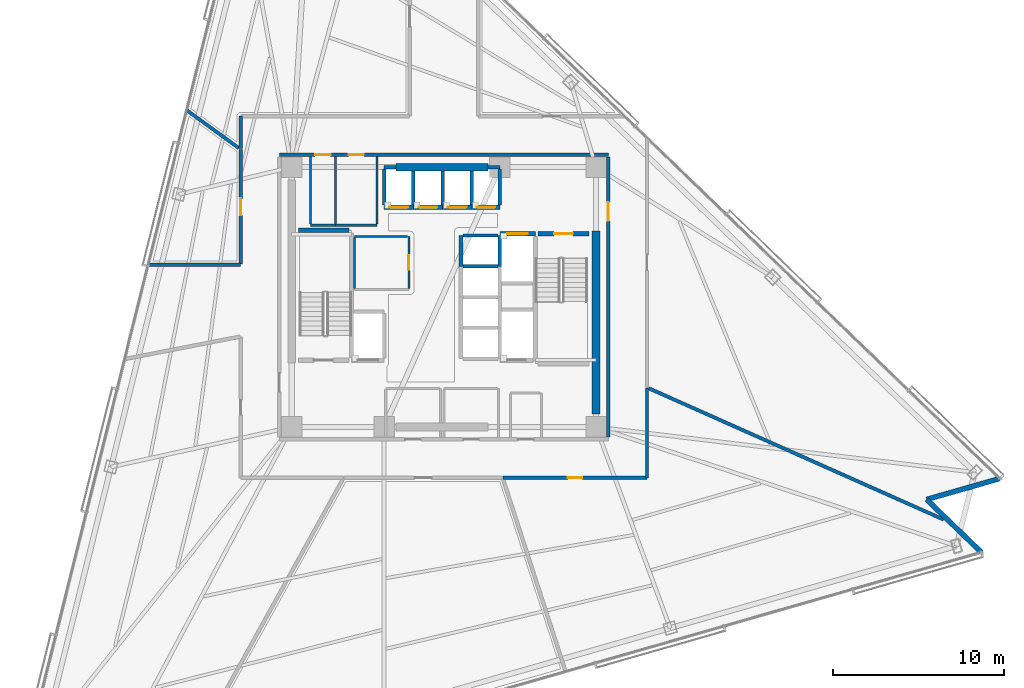
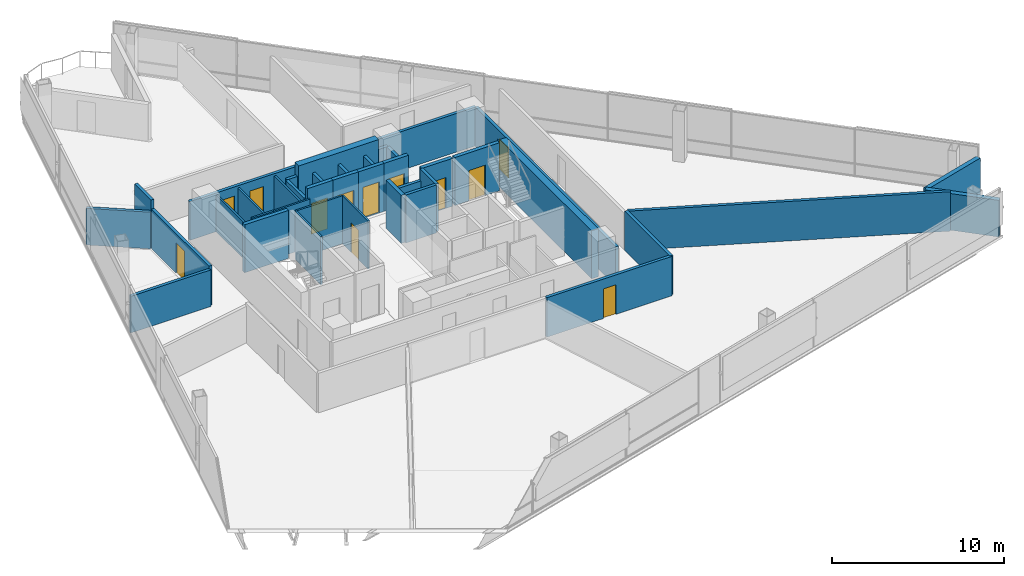
# One storey, part 10 of 17: 39 walls, 12 doors, 12 openings.
"""IFC4 building model written with IfcOpenShell, lengths in metres."""

from ifc_helpers import new_model, si_unit, direction, frame, frame_2d, origin, place, context, subcontext, project, spatial, rectangle, extrude, material, layer, layer_set, type_object, element, fill, save


model = new_model("IFC4")

# Units and contexts
model_context = context("Model", 3, precision=1e-05, world=origin(), true_north=direction((0.0, 1.0)))
body_context = subcontext(model_context, "Body", "Model", "MODEL_VIEW")
ifc_project = project(units=[si_unit("LENGTHUNIT", "METRE"), si_unit("AREAUNIT", "SQUARE_METRE"), si_unit("VOLUMEUNIT", "CUBIC_METRE"), si_unit("PLANEANGLEUNIT", "RADIAN"), si_unit("MASSUNIT", "GRAM", prefix="KILO")], contexts=[model_context])

# Site, building, storey
site_placement = place(None, origin())
site = spatial("IfcSite", under=ifc_project, at=site_placement, CompositionType="ELEMENT")
building_placement = place(site_placement, origin())
building = spatial("IfcBuilding", under=site, at=building_placement, Name="Tharavind Bronze Gate", CompositionType="ELEMENT")
storey_placement = place(building_placement, frame((0.0, 0.0, 96.89990234375)))
storey = spatial("IfcBuildingStorey", under=building, at=storey_placement, Name="L24", CompositionType="ELEMENT", Elevation=96.89990234375)

# Walls
ifc_material_1 = material(Name="Concrete C40/50", Category="concrete")
ifc_layer_1 = layer(ifc_material_1, 0.300048828125)
ifc_layer_set_1 = layer_set([ifc_layer_1], Name="Concrete C40/50")
wall_type_1 = type_object("IfcWallType", Name="EXTERIOR SPANDREL WALL 300", PredefinedType="STANDARD", material=ifc_layer_set_1)
wall_1_placement = place(storey_placement, frame((31.438720703125, -14.926513671875, 0.0), z_axis=(0.0, 0.0, 1.0), x_axis=(-0.719317126864, 0.694681848763, 0.0)))
element("IfcWall", 1, at=wall_1_placement, inside=storey, type_object=wall_type_1, Name="L24 notch cheek wall 3A", PredefinedType="STANDARD", context=body_context, shape_type="SweptSolid", body=[
    extrude(rectangle(XDim=4.439697265625, YDim=0.300048828125, at=frame_2d((2.2197265625, 0.0))), origin(), (0.0, 0.0, 1.0), 2.60498046875),
])
wall_2_placement = place(storey_placement, frame((28.2451171875, -11.84228515625, 0.0), z_axis=(0.0, 0.0, 1.0), x_axis=(0.961255810825, 0.275657878821, 0.0)))
element("IfcWall", 2, at=wall_2_placement, inside=storey, type_object=wall_type_1, Name="L24 notch cheek wall 3B", PredefinedType="STANDARD", context=body_context, shape_type="SweptSolid", body=[
    extrude(rectangle(XDim=4.43994140625, YDim=0.300048828125, at=frame_2d((2.219970703125, 0.0))), origin(), (0.0, 0.0, 1.0), 2.60498046875),
])

# Wall, openings, doors
ifc_material_2 = material(Name="Aerated Concrete Block", Category="concrete")
ifc_layer_2 = layer(ifc_material_2, 0.199951171875)
ifc_layer_set_2 = layer_set([ifc_layer_2], Name="Aerated Concrete Block")
wall_type_2 = type_object("IfcWallType", Name="FIRE RATED PARTITION 200", PredefinedType="PARTITIONING", material=ifc_layer_set_2)
wall_3_placement = place(storey_placement, frame((9.6201171875, 8.320068359375, 0.0), z_axis=(0.0, 0.0, 1.0), x_axis=(-1.0, 0.0, 0.0)))
wall_3 = element("IfcWall", 3, at=wall_3_placement, inside=storey, type_object=wall_type_2, Name="L24 north core corridor wall", PredefinedType="PARTITIONING", context=body_context, shape_type="SweptSolid", body=[
    extrude(rectangle(XDim=19.240234375, YDim=0.199951171875, at=frame_2d((9.6201171875, 0.0))), origin(), (0.0, 0.0, 1.0), 2.755126953125),
])
opening_1_placement = place(wall_3_placement, frame((16.2451171875, 0.0, 0.0)))
opening_1 = element("IfcOpeningElement", 4, at=opening_1_placement, cuts=wall_3, Name="Opening ID07", PredefinedType="OPENING", context=body_context, shape_type="SweptSolid", body=[
    extrude(rectangle(XDim=0.89990234375, YDim=2.10009765625, at=frame_2d((0.449951171875, 1.050048828125))), frame((0.0, 0.11009765625, 0.0), z_axis=(0.0, -1.0, 0.0), x_axis=(1.0, 0.0, 0.0)), (0.0, 0.0, 1.0), 0.219951171875),
])
opening_2_placement = place(wall_3_placement, frame((14.294921875, 0.0, 0.0)))
opening_2 = element("IfcOpeningElement", 5, at=opening_2_placement, cuts=wall_3, Name="Opening ID07", PredefinedType="OPENING", context=body_context, shape_type="SweptSolid", body=[
    extrude(rectangle(XDim=0.89990234375, YDim=2.10009765625, at=frame_2d((0.449951171875, 1.050048828125))), frame((0.0, 0.11009765625, 0.0), z_axis=(0.0, -1.0, 0.0), x_axis=(1.0, 0.0, 0.0)), (0.0, 0.0, 1.0), 0.219951171875),
])
ifc_material_3 = material(Name="Galvanised Fire Steel", Category="steel")
door_type_1 = type_object("IfcDoorType", Name="PLANT AND RISER FIRE DOOR 900X2100", OperationType="SINGLE_SWING_LEFT", PredefinedType="DOOR", material=ifc_material_3)
door_1_placement = place(opening_1_placement, frame((0.89990234375, 0.0, 0.0), z_axis=(0.0, 0.0, 1.0), x_axis=(-1.0, 0.0, 0.0)))
door_1 = element("IfcDoor", 6, at=door_1_placement, inside=storey, type_object=door_type_1, Name="L24 Battery Backup Cupboard fire door", OperationType="SINGLE_SWING_LEFT", OverallHeight=2.10009765625, OverallWidth=0.89990234375, PredefinedType="DOOR", context=body_context, shape_type="SweptSolid", body=[
    extrude(rectangle(XDim=0.89990234375, YDim=2.10009765625, at=frame_2d((0.449951171875, 1.050048828125))), frame((0.0, 0.02490234375, 0.0), z_axis=(0.0, -1.0, 0.0), x_axis=(1.0, 0.0, 0.0)), (0.0, 0.0, 1.0), 0.050048828125),
])
fill(opening_1, door_1)
door_2_placement = place(opening_2_placement, frame((0.89990234375, 0.0, 0.0), z_axis=(0.0, 0.0, 1.0), x_axis=(-1.0, 0.0, 0.0)))
door_2 = element("IfcDoor", 7, at=door_2_placement, inside=storey, type_object=door_type_1, Name="L24 Cleaner Store Room fire door", OperationType="SINGLE_SWING_LEFT", OverallHeight=2.10009765625, OverallWidth=0.89990234375, PredefinedType="DOOR", context=body_context, shape_type="SweptSolid", body=[
    extrude(rectangle(XDim=0.89990234375, YDim=2.10009765625, at=frame_2d((0.449951171875, 1.050048828125))), frame((0.0, 0.02490234375, 0.0), z_axis=(0.0, -1.0, 0.0), x_axis=(1.0, 0.0, 0.0)), (0.0, 0.0, 1.0), 0.050048828125),
])
fill(opening_2, door_2)

# Wall, opening, door
wall_4_placement = place(storey_placement, frame((9.6201171875, -8.199951171875, 0.0), z_axis=(0.0, 0.0, 1.0), x_axis=(0.0, 1.0, 0.0)))
wall_4 = element("IfcWall", 8, at=wall_4_placement, inside=storey, type_object=wall_type_2, Name="L24 east core corridor wall", PredefinedType="PARTITIONING", context=body_context, shape_type="SweptSolid", body=[
    extrude(rectangle(XDim=16.39990234375, YDim=0.199951171875, at=frame_2d((8.199951171875, 0.0))), origin(), (0.0, 0.0, 1.0), 2.80517578125),
])
opening_3_placement = place(wall_4_placement, frame((12.64990234375, 0.0, 0.0)))
opening_3 = element("IfcOpeningElement", 9, at=opening_3_placement, cuts=wall_4, Name="Opening ID01", PredefinedType="OPENING", context=body_context, shape_type="SweptSolid", body=[
    extrude(rectangle(XDim=1.10009765625, YDim=2.14990234375, at=frame_2d((0.550048828125, 1.074951171875))), frame((0.0, 0.11009765625, 0.0), z_axis=(0.0, -1.0, 0.0), x_axis=(1.0, 0.0, 0.0)), (0.0, 0.0, 1.0), 0.219951171875),
])
ifc_material_4 = material(Name="Fire-Rated Steel", Category="steel")
door_type_2 = type_object("IfcDoorType", Name="STAIR CORE FIRE DOOR 1100X2150", OperationType="SINGLE_SWING_LEFT", PredefinedType="DOOR", material=ifc_material_4)
door_3_placement = place(opening_3_placement, frame((1.10009765625, 0.0, 0.0), z_axis=(0.0, 0.0, 1.0), x_axis=(-1.0, 0.0, 0.0)))
door_3 = element("IfcDoor", 10, at=door_3_placement, inside=storey, type_object=door_type_2, Name="L24 north east stair lobby fire door", OperationType="SINGLE_SWING_LEFT", OverallHeight=2.14990234375, OverallWidth=1.10009765625, PredefinedType="DOOR", context=body_context, shape_type="SweptSolid", body=[
    extrude(rectangle(XDim=1.10009765625, YDim=2.14990234375, at=frame_2d((0.550048828125, 1.074951171875))), frame((0.0, 0.02490234375, 0.0), z_axis=(0.0, -1.0, 0.0), x_axis=(1.0, 0.0, 0.0)), (0.0, 0.0, 1.0), 0.050048828125),
])
fill(opening_3, door_3)

# Walls
wall_5_placement = place(storey_placement, frame((11.8798828125, -10.579345703125, 0.0), z_axis=(0.0, 0.0, 1.0), x_axis=(0.0, 1.0, 0.0)))
element("IfcWall", 11, at=wall_5_placement, inside=storey, type_object=wall_type_2, Name="L24 Public Restrooms Block partition", PredefinedType="PARTITIONING", context=body_context, shape_type="SweptSolid", body=[
    extrude(rectangle(XDim=5.25146484375, YDim=0.199951171875, at=frame_2d((2.625732421875, 0.0))), origin(), (0.0, 0.0, 1.0), 2.80517578125),
])
wall_6_placement = place(storey_placement, frame((11.985107421875, -5.336181640625, 0.0), z_axis=(0.0, 0.0, 1.0), x_axis=(0.913548038419, -0.406730846507, 0.0)))
element("IfcWall", 12, at=wall_6_placement, inside=storey, type_object=wall_type_2, Name="L24 Public Restrooms Block partition", PredefinedType="PARTITIONING", context=body_context, shape_type="SweptSolid", body=[
    extrude(rectangle(XDim=18.887451171875, YDim=0.199951171875, at=frame_2d((9.44384765625, 0.0))), origin(), (0.0, 0.0, 1.0), 2.80517578125),
])

# Wall, opening, door
wall_7_placement = place(storey_placement, frame((3.47216796875, -10.580078125, 0.0), z_axis=(0.0, 0.0, 1.0), x_axis=(1.0, 0.0, 0.0)))
wall_7 = element("IfcWall", 13, at=wall_7_placement, inside=storey, type_object=wall_type_2, Name="L24 Public Restrooms Block partition", PredefinedType="PARTITIONING", context=body_context, shape_type="SweptSolid", body=[
    extrude(rectangle(XDim=8.4072265625, YDim=0.199951171875, at=frame_2d((4.20361328125, 0.0))), origin(), (0.0, 0.0, 1.0), 2.80517578125),
])
opening_4_placement = place(wall_7_placement, frame((3.779052734375, 0.0, 0.0)))
opening_4 = element("IfcOpeningElement", 14, at=opening_4_placement, cuts=wall_7, Name="Opening ID06", PredefinedType="OPENING", context=body_context, shape_type="SweptSolid", body=[
    extrude(rectangle(XDim=0.85009765625, YDim=2.10009765625, at=frame_2d((0.425048828125, 1.050048828125))), frame((0.0, 0.11009765625, 0.0), z_axis=(0.0, -1.0, 0.0), x_axis=(1.0, 0.0, 0.0)), (0.0, 0.0, 1.0), 0.219951171875),
])
ifc_material_5 = material(Name="Moisture-Resistant Timber", Category="wood")
door_type_3 = type_object("IfcDoorType", Name="BATHROOM PRIVACY DOOR 850X2100", OperationType="SINGLE_SWING_RIGHT", PredefinedType="DOOR", material=ifc_material_5)
door_4_placement = place(opening_4_placement, origin())
door_4 = element("IfcDoor", 15, at=door_4_placement, inside=storey, type_object=door_type_3, Name="L24 Public Restrooms Block door", OperationType="SINGLE_SWING_RIGHT", OverallHeight=2.10009765625, OverallWidth=0.85009765625, PredefinedType="DOOR", context=body_context, shape_type="SweptSolid", body=[
    extrude(rectangle(XDim=0.85009765625, YDim=2.10009765625, at=frame_2d((0.425048828125, 1.050048828125))), frame((0.0, 0.02490234375, 0.0), z_axis=(0.0, -1.0, 0.0), x_axis=(1.0, 0.0, 0.0)), (0.0, 0.0, 1.0), 0.050048828125),
])
fill(opening_4, door_4)

# Walls
wall_8_placement = place(storey_placement, frame((-11.8798828125, 10.579345703125, 0.0), z_axis=(0.0, 0.0, 1.0), x_axis=(0.0, -1.0, 0.0)))
element("IfcWall", 16, at=wall_8_placement, inside=storey, type_object=wall_type_2, Name="L24 Townhall Conference Room partition", PredefinedType="PARTITIONING", context=body_context, shape_type="SweptSolid", body=[
    extrude(rectangle(XDim=1.89892578125, YDim=0.199951171875, at=frame_2d((0.949462890625, 0.0))), origin(), (0.0, 0.0, 1.0), 3.41015625),
])
wall_9_placement = place(storey_placement, frame((-11.985107421875, 8.70751953125, 0.0), z_axis=(0.0, 0.0, 1.0), x_axis=(-0.808974587113, 0.587843616454, 0.0)))
element("IfcWall", 17, at=wall_9_placement, inside=storey, type_object=wall_type_2, Name="L24 Townhall Conference Room partition", PredefinedType="PARTITIONING", context=body_context, shape_type="SweptSolid", body=[
    extrude(rectangle(XDim=3.761474609375, YDim=0.199951171875, at=frame_2d((1.880859375, 0.0))), origin(), (0.0, 0.0, 1.0), 2.60498046875),
])

# Wall, opening, door
wall_10_placement = place(storey_placement, frame((-11.8798828125, 8.61865234375, 0.0), z_axis=(0.0, 0.0, 1.0), x_axis=(0.0, -1.0, 0.0)))
wall_10 = element("IfcWall", 18, at=wall_10_placement, inside=storey, type_object=wall_type_2, Name="L24 Quantitative Research Office partition", PredefinedType="PARTITIONING", context=body_context, shape_type="SweptSolid", body=[
    extrude(rectangle(XDim=6.693603515625, YDim=0.199951171875, at=frame_2d((3.3466796875, 0.0))), origin(), (0.0, 0.0, 1.0), 2.80517578125),
])
opening_5_placement = place(wall_10_placement, frame((2.846923828125, 0.0, 0.0)))
opening_5 = element("IfcOpeningElement", 19, at=opening_5_placement, cuts=wall_10, Name="Opening ID04", PredefinedType="OPENING", context=body_context, shape_type="SweptSolid", body=[
    extrude(rectangle(XDim=1.0, YDim=2.14990234375, at=frame_2d((0.5, 1.074951171875))), frame((0.0, 0.11009765625, 0.0), z_axis=(0.0, -1.0, 0.0), x_axis=(1.0, 0.0, 0.0)), (0.0, 0.0, 1.0), 0.219951171875),
])
ifc_material_6 = material(Name="Bronze Framed Acoustic Timber", Category="wood")
door_type_4 = type_object("IfcDoorType", Name="OFFICE TENANCY DOOR 1000X2150", OperationType="SINGLE_SWING_RIGHT", PredefinedType="DOOR", material=ifc_material_6)
door_5_placement = place(opening_5_placement, origin())
door_5 = element("IfcDoor", 20, at=door_5_placement, inside=storey, type_object=door_type_4, Name="L24 Quantitative Research Office door", OperationType="SINGLE_SWING_RIGHT", OverallHeight=2.14990234375, OverallWidth=1.0, PredefinedType="DOOR", context=body_context, shape_type="SweptSolid", body=[
    extrude(rectangle(XDim=1.0, YDim=2.14990234375, at=frame_2d((0.5, 1.074951171875))), frame((0.0, 0.02490234375, 0.0), z_axis=(0.0, -1.0, 0.0), x_axis=(1.0, 0.0, 0.0)), (0.0, 0.0, 1.0), 0.050048828125),
])
fill(opening_5, door_5)

# Wall
wall_11_placement = place(storey_placement, frame((-11.905029296875, 1.89990234375, 0.0), z_axis=(0.0, 0.0, 1.0), x_axis=(-1.0, 0.0, 0.0)))
element("IfcWall", 21, at=wall_11_placement, inside=storey, type_object=wall_type_2, Name="L24 Quantitative Research Office partition", PredefinedType="PARTITIONING", context=body_context, shape_type="SweptSolid", body=[
    extrude(rectangle(XDim=5.3876953125, YDim=0.199951171875, at=frame_2d((2.69384765625, 0.0))), origin(), (0.0, 0.0, 1.0), 2.60498046875),
])

# Wall, opening, door
ifc_material_7 = material(Name="Metal Stud Gypsum Partition", Category="gypsum")
ifc_layer_3 = layer(ifc_material_7, 0.1201171875)
ifc_layer_set_3 = layer_set([ifc_layer_3], Name="Metal Stud Gypsum Partition")
wall_type_3 = type_object("IfcWallType", Name="INTERIOR PARTITION WALL 120", PredefinedType="PARTITIONING", material=ifc_layer_set_3)
wall_12_placement = place(storey_placement, frame((-2.050048828125, 0.514892578125, 0.0), z_axis=(0.0, 0.0, 1.0), x_axis=(0.0, 1.0, 0.0)))
wall_12 = element("IfcWall", 22, at=wall_12_placement, inside=storey, type_object=wall_type_3, Name="L24 Electrical & Telecom Store partition 2", PredefinedType="PARTITIONING", context=body_context, shape_type="SweptSolid", body=[
    extrude(rectangle(XDim=3.03515625, YDim=0.1201171875, at=frame_2d((1.517578125, 0.0))), origin(), (0.0, 0.0, 1.0), 3.41015625),
])
opening_6_placement = place(wall_12_placement, frame((1.092041015625, 0.0, 0.0)))
opening_6 = element("IfcOpeningElement", 23, at=opening_6_placement, cuts=wall_12, Name="Opening ID06", PredefinedType="OPENING", context=body_context, shape_type="SweptSolid", body=[
    extrude(rectangle(XDim=0.85009765625, YDim=2.10009765625, at=frame_2d((0.425048828125, 1.050048828125))), frame((0.0, 0.07005859375, 0.0), z_axis=(0.0, -1.0, 0.0), x_axis=(1.0, 0.0, 0.0)), (0.0, 0.0, 1.0), 0.1401171875),
])
door_6_placement = place(opening_6_placement, frame((0.85009765625, 0.0, 0.0), z_axis=(0.0, 0.0, 1.0), x_axis=(-1.0, 0.0, 0.0)))
door_6 = element("IfcDoor", 24, at=door_6_placement, inside=storey, type_object=door_type_3, Name="L24 Electrical & Telecom Store door", OperationType="SINGLE_SWING_RIGHT", OverallHeight=2.10009765625, OverallWidth=0.85009765625, PredefinedType="DOOR", context=body_context, shape_type="SweptSolid", body=[
    extrude(rectangle(XDim=0.85009765625, YDim=2.10009765625, at=frame_2d((0.425048828125, 1.050048828125))), frame((0.0, 0.02490234375, 0.0), z_axis=(0.0, -1.0, 0.0), x_axis=(1.0, 0.0, 0.0)), (0.0, 0.0, 1.0), 0.050048828125),
])
fill(opening_6, door_6)

# Walls
wall_13_placement = place(storey_placement, frame((-2.114990234375, 3.550048828125, 0.0), z_axis=(0.0, 0.0, 1.0), x_axis=(-1.0, 0.0, 0.0)))
element("IfcWall", 25, at=wall_13_placement, inside=storey, type_object=wall_type_3, Name="L24 Electrical & Telecom Store partition 3", PredefinedType="PARTITIONING", context=body_context, shape_type="SweptSolid", body=[
    extrude(rectangle(XDim=3.10498046875, YDim=0.1201171875, at=frame_2d((1.552490234375, 0.0))), origin(), (0.0, 0.0, 1.0), 3.41015625),
])
wall_14_placement = place(storey_placement, frame((-5.219970703125, 3.485107421875, 0.0), z_axis=(0.0, 0.0, 1.0), x_axis=(0.0, -1.0, 0.0)))
element("IfcWall", 26, at=wall_14_placement, inside=storey, type_object=wall_type_3, Name="L24 Electrical & Telecom Store partition 4", PredefinedType="PARTITIONING", context=body_context, shape_type="SweptSolid", body=[
    extrude(rectangle(XDim=2.97021484375, YDim=0.1201171875, at=frame_2d((1.485107421875, 0.0))), origin(), (0.0, 0.0, 1.0), 3.41015625),
])
wall_15_placement = place(storey_placement, frame((-7.800048828125, 4.199951171875, 0.0), z_axis=(0.0, 0.0, 1.0), x_axis=(1.0, 0.0, 0.0)))
element("IfcWall", 27, at=wall_15_placement, inside=storey, type_object=wall_type_3, Name="L24 Battery Backup Cupboard partition 1", PredefinedType="PARTITIONING", context=body_context, shape_type="SweptSolid", body=[
    extrude(rectangle(XDim=1.449951171875, YDim=0.1201171875, at=frame_2d((0.72509765625, 0.0))), origin(), (0.0, 0.0, 1.0), 3.41015625),
])
for number, where, z_axis, x_axis, name in (
    (28, (-6.35009765625, 4.264892578125, 0.0), (0.0, 0.0, 1.0), (0.0, 1.0, 0.0), "L24 Battery Backup Cupboard partition 2"),
    (29, (-7.800048828125, 8.215087890625, 0.0), (0.0, 0.0, 1.0), (0.0, -1.0, 0.0), "L24 Battery Backup Cupboard partition 4"),
):
    element("IfcWall", number, at=place(storey_placement, frame(where, z_axis=z_axis, x_axis=x_axis)), inside=storey, type_object=wall_type_3, Name=name, PredefinedType="PARTITIONING", context=body_context, shape_type="SweptSolid", body=[
        extrude(rectangle(XDim=3.9501953125, YDim=0.1201171875, at=frame_2d((1.97509765625, 0.0))), origin(), (0.0, 0.0, 1.0), 2.60498046875),
    ])
wall_16_placement = place(storey_placement, frame((-6.35009765625, 4.199951171875, 0.0), z_axis=(0.0, 0.0, 1.0), x_axis=(1.0, 0.0, 0.0)))
element("IfcWall", 30, at=wall_16_placement, inside=storey, type_object=wall_type_3, Name="L24 Cleaner Store Room partition 1", PredefinedType="PARTITIONING", context=body_context, shape_type="SweptSolid", body=[
    extrude(rectangle(XDim=2.4501953125, YDim=0.1201171875, at=frame_2d((1.22509765625, 0.0))), origin(), (0.0, 0.0, 1.0), 3.41015625),
])
wall_17_placement = place(storey_placement, frame((-3.89990234375, 4.264892578125, 0.0), z_axis=(0.0, 0.0, 1.0), x_axis=(0.0, 1.0, 0.0)))
element("IfcWall", 31, at=wall_17_placement, inside=storey, type_object=wall_type_3, Name="L24 Cleaner Store Room partition 2", PredefinedType="PARTITIONING", context=body_context, shape_type="SweptSolid", body=[
    extrude(rectangle(XDim=3.9501953125, YDim=0.1201171875, at=frame_2d((1.97509765625, 0.0))), origin(), (0.0, 0.0, 1.0), 2.60498046875),
])
ifc_material_8 = material(Name="Concrete C50/60", Category="concrete")
ifc_layer_4 = layer(ifc_material_8, 0.25)
ifc_layer_set_4 = layer_set([ifc_layer_4], Name="Concrete C50/60")
wall_type_4 = type_object("IfcWallType", Name="RC CORE SHEAR WALL 250", PredefinedType="SHEAR", material=ifc_layer_set_4)
wall_18_placement = place(storey_placement, frame((-8.5, 3.89990234375, 0.0), z_axis=(0.0, 0.0, 1.0), x_axis=(1.0, 0.0, 0.0)))
element("IfcWall", 32, at=wall_18_placement, inside=storey, type_object=wall_type_4, Name="L24 ST1 shaft north wall", PredefinedType="SHEAR", context=body_context, shape_type="SweptSolid", body=[
    extrude(rectangle(XDim=2.949951171875, YDim=0.25, at=frame_2d((1.47509765625, 0.0))), origin(), (0.0, 0.0, 1.0), 3.41015625),
])

# Wall, opening, door
wall_19_placement = place(storey_placement, frame((5.5, 3.699951171875, 0.0), z_axis=(0.0, 0.0, 1.0), x_axis=(1.0, 0.0, 0.0)))
wall_19 = element("IfcWall", 33, at=wall_19_placement, inside=storey, type_object=wall_type_4, Name="L24 ST2 shaft north wall", PredefinedType="SHEAR", context=body_context, shape_type="SweptSolid", body=[
    extrude(rectangle(XDim=3.0, YDim=0.25, at=frame_2d((1.5, 0.0))), origin(), (0.0, 0.0, 1.0), 3.41015625),
])
opening_7_placement = place(wall_19_placement, frame((0.949951171875, 0.0, 0.0)))
opening_7 = element("IfcOpeningElement", 34, at=opening_7_placement, cuts=wall_19, Name="Opening ID01", PredefinedType="OPENING", context=body_context, shape_type="SweptSolid", body=[
    extrude(rectangle(XDim=1.10009765625, YDim=2.14990234375, at=frame_2d((0.550048828125, 1.074951171875))), frame((0.0, 0.135, 0.0), z_axis=(0.0, -1.0, 0.0), x_axis=(1.0, 0.0, 0.0)), (0.0, 0.0, 1.0), 0.27),
])
door_7_placement = place(opening_7_placement, frame((1.10009765625, 0.0, 0.0), z_axis=(0.0, 0.0, 1.0), x_axis=(-1.0, 0.0, 0.0)))
door_7 = element("IfcDoor", 35, at=door_7_placement, inside=storey, type_object=door_type_2, Name="L24 exit stair ST2 fire door", OperationType="SINGLE_SWING_LEFT", OverallHeight=2.14990234375, OverallWidth=1.10009765625, PredefinedType="DOOR", context=body_context, shape_type="SweptSolid", body=[
    extrude(rectangle(XDim=1.10009765625, YDim=2.14990234375, at=frame_2d((0.550048828125, 1.074951171875))), frame((0.0, 0.02490234375, 0.0), z_axis=(0.0, -1.0, 0.0), x_axis=(1.0, 0.0, 0.0)), (0.0, 0.0, 1.0), 0.050048828125),
])
fill(opening_7, door_7)

wall_20_placement = place(storey_placement, frame((-3.5, 5.25, 0.0), z_axis=(0.0, 0.0, 1.0), x_axis=(1.0, 0.0, 0.0)))
wall_20 = element("IfcWall", 36, at=wall_20_placement, inside=storey, type_object=wall_type_4, Name="L24 lift PL5 shaft front wall", PredefinedType="SHEAR", context=body_context, shape_type="SweptSolid", body=[
    extrude(rectangle(XDim=1.71240234375, YDim=0.25, at=frame_2d((0.856201171875, 0.0))), origin(), (0.0, 0.0, 1.0), 3.41015625),
])
opening_8_placement = place(wall_20_placement, frame((0.305908203125, 0.0, 0.0)))
opening_8 = element("IfcOpeningElement", 37, at=opening_8_placement, cuts=wall_20, Name="Opening LD01", PredefinedType="OPENING", context=body_context, shape_type="SweptSolid", body=[
    extrude(rectangle(XDim=1.10009765625, YDim=2.199951171875, at=frame_2d((0.550048828125, 1.10009765625))), frame((0.0, 0.135, 0.0), z_axis=(0.0, -1.0, 0.0), x_axis=(1.0, 0.0, 0.0)), (0.0, 0.0, 1.0), 0.27),
])
ifc_material_9 = material(Name="Brushed Bronze Stainless Steel", Category="steel")
door_type_5 = type_object("IfcDoorType", Name="LIFT LANDING SLIDING DOOR 1100X2200", OperationType="SLIDING_TO_LEFT", PredefinedType="DOOR", material=ifc_material_9)
door_8_placement = place(opening_8_placement, origin())
door_8 = element("IfcDoor", 38, at=door_8_placement, inside=storey, type_object=door_type_5, Name="L24 lift PL5 sliding landing door", OperationType="SLIDING_TO_LEFT", OverallHeight=2.199951171875, OverallWidth=1.10009765625, PredefinedType="DOOR", context=body_context, shape_type="SweptSolid", body=[
    extrude(rectangle(XDim=1.10009765625, YDim=2.199951171875, at=frame_2d((0.550048828125, 1.10009765625))), frame((0.0, 0.02490234375, 0.0), z_axis=(0.0, -1.0, 0.0), x_axis=(1.0, 0.0, 0.0)), (0.0, 0.0, 1.0), 0.050048828125),
])
fill(opening_8, door_8)

wall_21_placement = place(storey_placement, frame((-1.78759765625, 5.25, 0.0), z_axis=(0.0, 0.0, 1.0), x_axis=(1.0, 0.0, 0.0)))
wall_21 = element("IfcWall", 39, at=wall_21_placement, inside=storey, type_object=wall_type_4, Name="L24 lift PL6 shaft front wall", PredefinedType="SHEAR", context=body_context, shape_type="SweptSolid", body=[
    extrude(rectangle(XDim=1.712646484375, YDim=0.25, at=frame_2d((0.8564453125, 0.0))), origin(), (0.0, 0.0, 1.0), 3.41015625),
])
opening_9_placement = place(wall_21_placement, frame((0.305908203125, 0.0, 0.0)))
opening_9 = element("IfcOpeningElement", 40, at=opening_9_placement, cuts=wall_21, Name="Opening LD01", PredefinedType="OPENING", context=body_context, shape_type="SweptSolid", body=[
    extrude(rectangle(XDim=1.10009765625, YDim=2.199951171875, at=frame_2d((0.550048828125, 1.10009765625))), frame((0.0, 0.135, 0.0), z_axis=(0.0, -1.0, 0.0), x_axis=(1.0, 0.0, 0.0)), (0.0, 0.0, 1.0), 0.27),
])
door_9_placement = place(opening_9_placement, origin())
door_9 = element("IfcDoor", 41, at=door_9_placement, inside=storey, type_object=door_type_5, Name="L24 lift PL6 sliding landing door", OperationType="SLIDING_TO_LEFT", OverallHeight=2.199951171875, OverallWidth=1.10009765625, PredefinedType="DOOR", context=body_context, shape_type="SweptSolid", body=[
    extrude(rectangle(XDim=1.10009765625, YDim=2.199951171875, at=frame_2d((0.550048828125, 1.10009765625))), frame((0.0, 0.02490234375, 0.0), z_axis=(0.0, -1.0, 0.0), x_axis=(1.0, 0.0, 0.0)), (0.0, 0.0, 1.0), 0.050048828125),
])
fill(opening_9, door_9)

wall_22_placement = place(storey_placement, frame((-0.074951171875, 5.25, 0.0), z_axis=(0.0, 0.0, 1.0), x_axis=(1.0, 0.0, 0.0)))
wall_22 = element("IfcWall", 42, at=wall_22_placement, inside=storey, type_object=wall_type_4, Name="L24 lift PL7 shaft front wall", PredefinedType="SHEAR", context=body_context, shape_type="SweptSolid", body=[
    extrude(rectangle(XDim=1.71240234375, YDim=0.25, at=frame_2d((0.856201171875, 0.0))), origin(), (0.0, 0.0, 1.0), 3.41015625),
])
opening_10_placement = place(wall_22_placement, frame((0.305908203125, 0.0, 0.0)))
opening_10 = element("IfcOpeningElement", 43, at=opening_10_placement, cuts=wall_22, Name="Opening LD01", PredefinedType="OPENING", context=body_context, shape_type="SweptSolid", body=[
    extrude(rectangle(XDim=1.10009765625, YDim=2.199951171875, at=frame_2d((0.550048828125, 1.10009765625))), frame((0.0, 0.135, 0.0), z_axis=(0.0, -1.0, 0.0), x_axis=(1.0, 0.0, 0.0)), (0.0, 0.0, 1.0), 0.27),
])
door_10_placement = place(opening_10_placement, origin())
door_10 = element("IfcDoor", 44, at=door_10_placement, inside=storey, type_object=door_type_5, Name="L24 lift PL7 sliding landing door", OperationType="SLIDING_TO_LEFT", OverallHeight=2.199951171875, OverallWidth=1.10009765625, PredefinedType="DOOR", context=body_context, shape_type="SweptSolid", body=[
    extrude(rectangle(XDim=1.10009765625, YDim=2.199951171875, at=frame_2d((0.550048828125, 1.10009765625))), frame((0.0, 0.02490234375, 0.0), z_axis=(0.0, -1.0, 0.0), x_axis=(1.0, 0.0, 0.0)), (0.0, 0.0, 1.0), 0.050048828125),
])
fill(opening_10, door_10)

wall_23_placement = place(storey_placement, frame((1.637451171875, 5.25, 0.0), z_axis=(0.0, 0.0, 1.0), x_axis=(1.0, 0.0, 0.0)))
wall_23 = element("IfcWall", 45, at=wall_23_placement, inside=storey, type_object=wall_type_4, Name="L24 lift PL8 shaft front wall", PredefinedType="SHEAR", context=body_context, shape_type="SweptSolid", body=[
    extrude(rectangle(XDim=1.642578125, YDim=0.25, at=frame_2d((0.8212890625, 0.0))), origin(), (0.0, 0.0, 1.0), 3.41015625),
])
opening_11_placement = place(wall_23_placement, frame((0.27099609375, 0.0, 0.0)))
opening_11 = element("IfcOpeningElement", 46, at=opening_11_placement, cuts=wall_23, Name="Opening LD01", PredefinedType="OPENING", context=body_context, shape_type="SweptSolid", body=[
    extrude(rectangle(XDim=1.10009765625, YDim=2.199951171875, at=frame_2d((0.550048828125, 1.10009765625))), frame((0.0, 0.135, 0.0), z_axis=(0.0, -1.0, 0.0), x_axis=(1.0, 0.0, 0.0)), (0.0, 0.0, 1.0), 0.27),
])
door_11_placement = place(opening_11_placement, origin())
door_11 = element("IfcDoor", 47, at=door_11_placement, inside=storey, type_object=door_type_5, Name="L24 lift PL8 sliding landing door", OperationType="SLIDING_TO_LEFT", OverallHeight=2.199951171875, OverallWidth=1.10009765625, PredefinedType="DOOR", context=body_context, shape_type="SweptSolid", body=[
    extrude(rectangle(XDim=1.10009765625, YDim=2.199951171875, at=frame_2d((0.550048828125, 1.10009765625))), frame((0.0, 0.02490234375, 0.0), z_axis=(0.0, -1.0, 0.0), x_axis=(1.0, 0.0, 0.0)), (0.0, 0.0, 1.0), 0.050048828125),
])
fill(opening_11, door_11)

# Wall
wall_24_placement = place(storey_placement, frame((1.0, 1.800048828125, 0.0), z_axis=(0.0, 0.0, 1.0), x_axis=(0.0, 1.0, 0.0)))
element("IfcWall", 48, at=wall_24_placement, inside=storey, type_object=wall_type_4, Name="L24 lift PL12 shaft front wall", PredefinedType="SHEAR", context=body_context, shape_type="SweptSolid", body=[
    extrude(rectangle(XDim=1.800048828125, YDim=0.25, at=frame_2d((0.89990234375, 0.0))), origin(), (0.0, 0.0, 1.0), 3.41015625),
])

# Wall, opening, door
wall_25_placement = place(storey_placement, frame((3.280029296875, 3.699951171875, 0.0), z_axis=(0.0, 0.0, 1.0), x_axis=(1.0, 0.0, 0.0)))
wall_25 = element("IfcWall", 49, at=wall_25_placement, inside=storey, type_object=wall_type_4, Name="L24 lift FFL2 shaft front wall", PredefinedType="SHEAR", context=body_context, shape_type="SweptSolid", body=[
    extrude(rectangle(XDim=2.070068359375, YDim=0.25, at=frame_2d((1.03515625, 0.0))), origin(), (0.0, 0.0, 1.0), 3.41015625),
])
opening_12_placement = place(wall_25_placement, frame((0.43505859375, 0.0, 0.0)))
opening_12 = element("IfcOpeningElement", 50, at=opening_12_placement, cuts=wall_25, Name="Opening LD02", PredefinedType="OPENING", context=body_context, shape_type="SweptSolid", body=[
    extrude(rectangle(XDim=1.199951171875, YDim=2.199951171875, at=frame_2d((0.60009765625, 1.10009765625))), frame((0.0, 0.135, 0.0), z_axis=(0.0, -1.0, 0.0), x_axis=(1.0, 0.0, 0.0)), (0.0, 0.0, 1.0), 0.27),
])
ifc_material_10 = material(Name="Brushed Stainless Steel", Category="steel")
door_type_6 = type_object("IfcDoorType", Name="FIREFIGHTING LIFT LANDING DOOR 1200X2200", OperationType="SLIDING_TO_RIGHT", PredefinedType="DOOR", material=ifc_material_10)
door_12_placement = place(opening_12_placement, origin())
door_12 = element("IfcDoor", 51, at=door_12_placement, inside=storey, type_object=door_type_6, Name="L24 lift FFL2 sliding landing door", OperationType="SLIDING_TO_RIGHT", OverallHeight=2.199951171875, OverallWidth=1.199951171875, PredefinedType="DOOR", context=body_context, shape_type="SweptSolid", body=[
    extrude(rectangle(XDim=1.199951171875, YDim=2.199951171875, at=frame_2d((0.60009765625, 1.10009765625))), frame((0.0, 0.02490234375, 0.0), z_axis=(0.0, -1.0, 0.0), x_axis=(1.0, 0.0, 0.0)), (0.0, 0.0, 1.0), 0.050048828125),
])
fill(opening_12, door_12)

# Walls
ifc_material_11 = material(Name="Concrete C60/75", Category="concrete")
ifc_layer_5 = layer(ifc_material_11, 0.449951171875)
ifc_layer_set_5 = layer_set([ifc_layer_5], Name="Concrete C60/75")
wall_type_5 = type_object("IfcWallType", Name="RC CORE SHEAR WALL 450", PredefinedType="SHEAR", material=ifc_layer_set_5)
wall_26_placement = place(storey_placement, frame((-2.800048828125, 7.60009765625, 0.0), z_axis=(0.0, 0.0, 1.0), x_axis=(1.0, 0.0, 0.0)))
element("IfcWall", 52, at=wall_26_placement, inside=storey, type_object=wall_type_5, Name="L24 north core shear wall", PredefinedType="SHEAR", context=body_context, shape_type="SweptSolid", body=[
    extrude(rectangle(XDim=5.380126953125, YDim=0.449951171875, at=frame_2d((2.68994140625, 0.0))), origin(), (0.0, 0.0, 1.0), 3.41015625),
])
wall_27_placement = place(storey_placement, frame((8.89990234375, -6.85009765625, 0.0), z_axis=(0.0, 0.0, 1.0), x_axis=(0.0, 1.0, 0.0)))
element("IfcWall", 53, at=wall_27_placement, inside=storey, type_object=wall_type_5, Name="L24 east core shear wall", PredefinedType="SHEAR", context=body_context, shape_type="SweptSolid", body=[
    extrude(rectangle(XDim=10.7001953125, YDim=0.449951171875, at=frame_2d((5.35009765625, 0.0))), origin(), (0.0, 0.0, 1.0), 3.41015625),
])
ifc_layer_6 = layer(ifc_material_1, 0.199951171875)
ifc_layer_set_6 = layer_set([ifc_layer_6], Name="Concrete C40/50")
wall_type_6 = type_object("IfcWallType", Name="SHAFT ENCLOSURE WALL 200", PredefinedType="PARTITIONING", material=ifc_layer_set_6)
wall_28_placement = place(storey_placement, frame((-3.5, 7.60009765625, 0.0), z_axis=(0.0, 0.0, 1.0), x_axis=(1.0, 0.0, 0.0)))
element("IfcWall", 54, at=wall_28_placement, inside=storey, type_object=wall_type_6, Name="L24 lift PL5 shaft N enclosure wall", PredefinedType="PARTITIONING", context=body_context, shape_type="SweptSolid", body=[
    extrude(rectangle(XDim=0.699951171875, YDim=0.199951171875, at=frame_2d((0.35009765625, 0.0))), origin(), (0.0, 0.0, 1.0), 2.60498046875),
])
wall_29_placement = place(storey_placement, frame((-3.5, 5.3798828125, 0.0), z_axis=(0.0, 0.0, 1.0), x_axis=(0.0, 1.0, 0.0)))
element("IfcWall", 55, at=wall_29_placement, inside=storey, type_object=wall_type_6, Name="L24 lift PL5 shaft W enclosure wall", PredefinedType="PARTITIONING", context=body_context, shape_type="SweptSolid", body=[
    extrude(rectangle(XDim=2.115234375, YDim=0.199951171875, at=frame_2d((1.0576171875, 0.0))), origin(), (0.0, 0.0, 1.0), 2.60498046875),
])
for number, where, z_axis, x_axis, name in (
    (56, (-1.78759765625, 5.3798828125, 0.0), (0.0, 0.0, 1.0), (0.0, 1.0, 0.0), "L24 lift PL5 shaft E enclosure wall"),
    (57, (-0.074951171875, 5.3798828125, 0.0), (0.0, 0.0, 1.0), (0.0, 1.0, 0.0), "L24 lift PL6 shaft E enclosure wall"),
    (58, (1.637451171875, 5.3798828125, 0.0), (0.0, 0.0, 1.0), (0.0, 1.0, 0.0), "L24 lift PL7 shaft E enclosure wall"),
):
    element("IfcWall", number, at=place(storey_placement, frame(where, z_axis=z_axis, x_axis=x_axis)), inside=storey, type_object=wall_type_6, Name=name, PredefinedType="PARTITIONING", context=body_context, shape_type="SweptSolid", body=[
        extrude(rectangle(XDim=1.990234375, YDim=0.199951171875, at=frame_2d((0.9951171875, 0.0))), origin(), (0.0, 0.0, 1.0), 2.60498046875),
    ])
wall_30_placement = place(storey_placement, frame((2.580078125, 7.60009765625, 0.0), z_axis=(0.0, 0.0, 1.0), x_axis=(1.0, 0.0, 0.0)))
element("IfcWall", 59, at=wall_30_placement, inside=storey, type_object=wall_type_6, Name="L24 lift PL8 shaft N enclosure wall", PredefinedType="PARTITIONING", context=body_context, shape_type="SweptSolid", body=[
    extrude(rectangle(XDim=0.699951171875, YDim=0.199951171875, at=frame_2d((0.35009765625, 0.0))), origin(), (0.0, 0.0, 1.0), 2.60498046875),
])
wall_31_placement = place(storey_placement, frame((3.280029296875, 5.3798828125, 0.0), z_axis=(0.0, 0.0, 1.0), x_axis=(0.0, 1.0, 0.0)))
element("IfcWall", 60, at=wall_31_placement, inside=storey, type_object=wall_type_6, Name="L24 lift PL8 shaft E enclosure wall", PredefinedType="PARTITIONING", context=body_context, shape_type="SweptSolid", body=[
    extrude(rectangle(XDim=2.115234375, YDim=0.199951171875, at=frame_2d((1.0576171875, 0.0))), origin(), (0.0, 0.0, 1.0), 2.60498046875),
])
wall_32_placement = place(storey_placement, frame((1.1298828125, 1.800048828125, 0.0), z_axis=(0.0, 0.0, 1.0), x_axis=(1.0, 0.0, 0.0)))
element("IfcWall", 61, at=wall_32_placement, inside=storey, type_object=wall_type_6, Name="L24 lift PL11 shaft N enclosure wall", PredefinedType="PARTITIONING", context=body_context, shape_type="SweptSolid", body=[
    extrude(rectangle(XDim=2.045166015625, YDim=0.199951171875, at=frame_2d((1.0224609375, 0.0))), origin(), (0.0, 0.0, 1.0), 3.41015625),
])
wall_33_placement = place(storey_placement, frame((3.280029296875, 1.800048828125, 0.0), z_axis=(0.0, 0.0, 1.0), x_axis=(0.0, 1.0, 0.0)))
element("IfcWall", 62, at=wall_33_placement, inside=storey, type_object=wall_type_6, Name="L24 lift PL12 shaft E enclosure wall", PredefinedType="PARTITIONING", context=body_context, shape_type="SweptSolid", body=[
    extrude(rectangle(XDim=1.800048828125, YDim=0.199951171875, at=frame_2d((0.89990234375, 0.0))), origin(), (0.0, 0.0, 1.0), 3.41015625),
])
wall_34_placement = place(storey_placement, frame((1.1298828125, 3.60009765625, 0.0), z_axis=(0.0, 0.0, 1.0), x_axis=(1.0, 0.0, 0.0)))
element("IfcWall", 63, at=wall_34_placement, inside=storey, type_object=wall_type_6, Name="L24 lift PL12 shaft N enclosure wall", PredefinedType="PARTITIONING", context=body_context, shape_type="SweptSolid", body=[
    extrude(rectangle(XDim=2.045166015625, YDim=0.199951171875, at=frame_2d((1.0224609375, 0.0))), origin(), (0.0, 0.0, 1.0), 2.60498046875),
])

save(model, "model.ifc")
